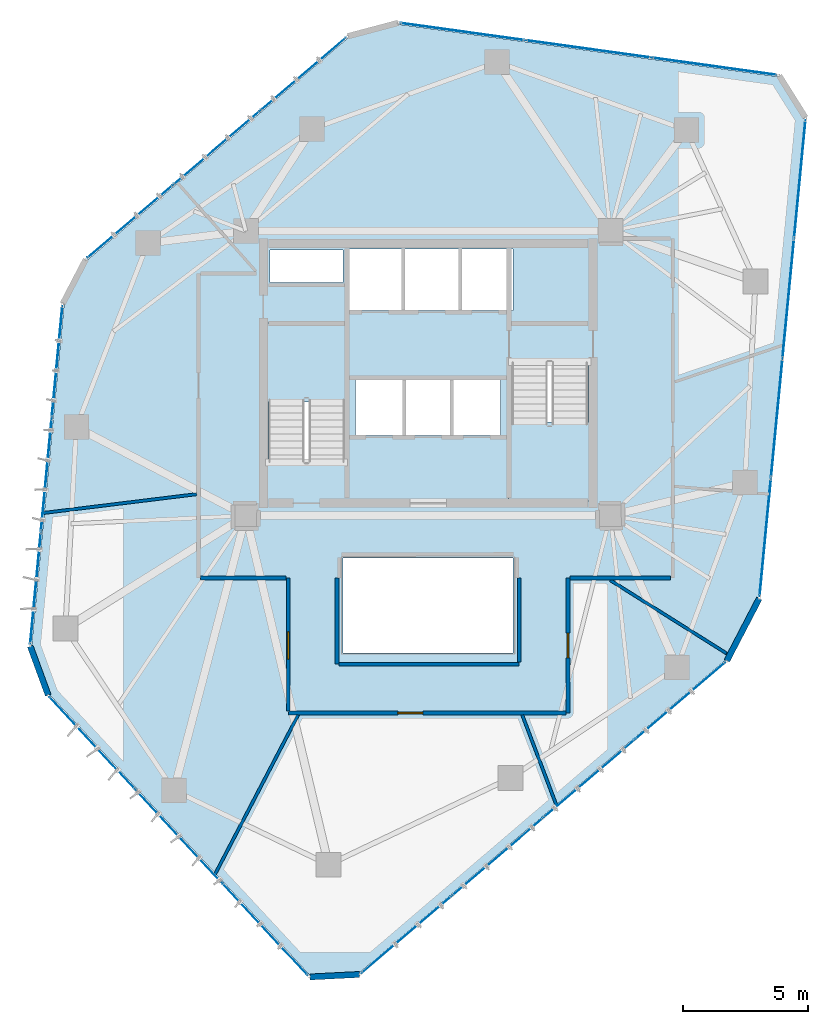
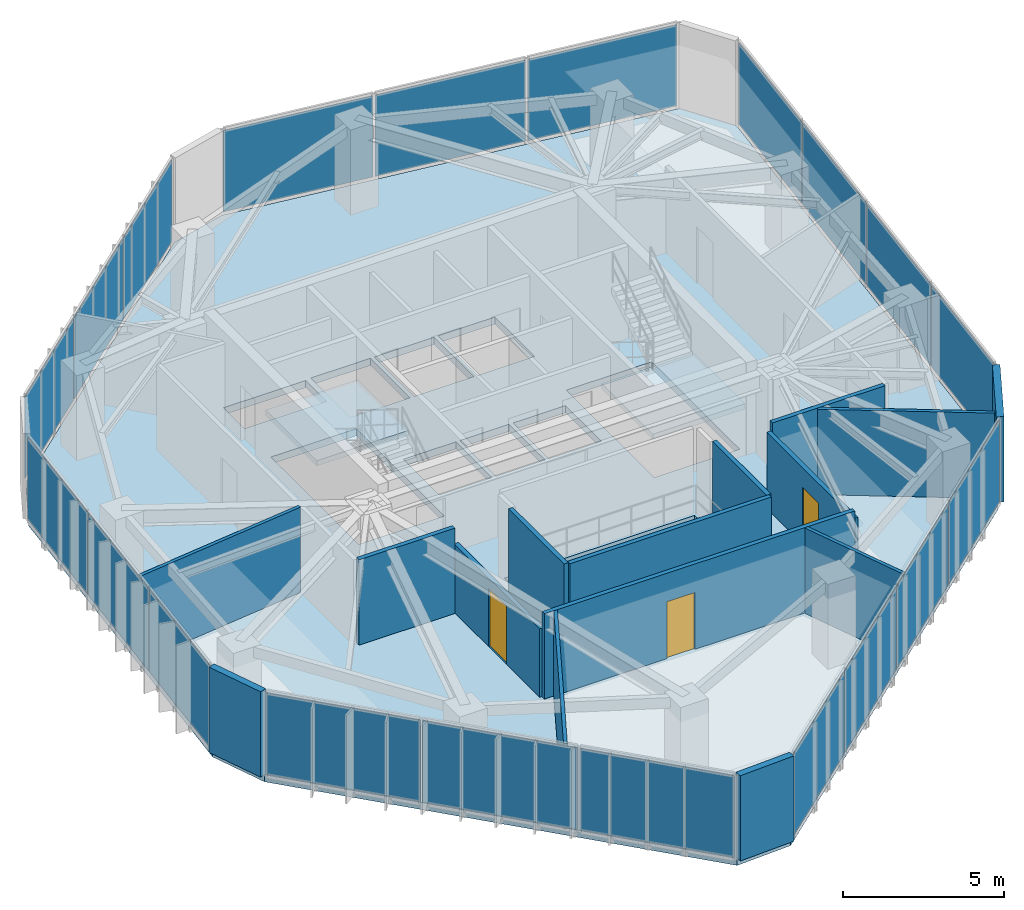
# One storey, part 16 of 20: 20 plates, 15 walls, 3 doors, 3 slabs, 3 openings, 8 elements without a shape of their own.
"""IFC4 building model written with IfcOpenShell, lengths in metres."""

from ifc_helpers import new_model, si_unit, direction, frame, frame_2d, origin, origin_2d, place, context, subcontext, project, spatial, polyline, rectangle, outline, extrude, source, transform, mapped, material, layer, layer_set, type_object, type_shapes, element, fill, aggregate, save


model = new_model("IFC4")

# Units and contexts
model_context = context("Model", 3, precision=1e-05, world=origin(), true_north=direction((0.0, 1.0)))
body_context = subcontext(model_context, "Body", "Model", "MODEL_VIEW")
ifc_project = project(units=[si_unit("LENGTHUNIT", "METRE"), si_unit("AREAUNIT", "SQUARE_METRE"), si_unit("VOLUMEUNIT", "CUBIC_METRE"), si_unit("PLANEANGLEUNIT", "RADIAN"), si_unit("MASSUNIT", "GRAM", prefix="KILO")], contexts=[model_context])

# Site, building, storey
site_placement = place(None, origin())
site = spatial("IfcSite", under=ifc_project, at=site_placement, CompositionType="ELEMENT")
building_placement = place(site_placement, origin())
building = spatial("IfcBuilding", under=site, at=building_placement, Name="Talar Marvaseh", CompositionType="ELEMENT")
storey_placement = place(building_placement, frame((0.0, 0.0, 211.699951171875)))
storey = spatial("IfcBuildingStorey", under=building, at=storey_placement, Name="L55", CompositionType="ELEMENT", Elevation=211.699951171875)

# Stair, slab
ifc_material_1 = material(Name="Concrete C40/50", Category="concrete")
stair_type = type_object("IfcStairType", Name="Reinforced Concrete High-Rise Exit Stair Type C", PredefinedType="HALF_TURN_STAIR", material=ifc_material_1)
stair_1_placement = place(storey_placement, origin())
stair_1 = element("IfcStair", 1, at=stair_1_placement, inside=storey, type_object=stair_type, Name="L55 Tower West Core Exit Stair", PredefinedType="HALF_TURN_STAIR")
ifc_layer_1 = layer(ifc_material_1, 0.199951171875)
ifc_layer_set_1 = layer_set([ifc_layer_1], Name="Concrete C40/50")
slab_type_1 = type_object("IfcSlabType", Name="Reinforced Concrete Stair Half-Landing Slab 200", PredefinedType="LANDING", material=ifc_layer_set_1)
slab_1_placement = place(storey_placement, frame((0.0, 0.0, 1.550048828125)))
slab_1 = element("IfcSlab", 2, at=slab_1_placement, type_object=slab_type_1, Name="ST-1 landing 1", PredefinedType="LANDING", context=body_context, shape_type="SweptSolid", body=[
    extrude(outline(polyline([(22.780029296875, 30.050048828125), (22.780029296875, 33.219970703125), (19.47998046875, 33.219970703125), (19.47998046875, 30.050048828125), (22.780029296875, 30.050048828125)])), origin(), (0.0, 0.0, 1.0), 0.199951171875),
])
aggregate(stair_1, [slab_1])

stair_2_placement = place(storey_placement, origin())
stair_2 = element("IfcStair", 3, at=stair_2_placement, inside=storey, type_object=stair_type, Name="L55 Tower East Core Exit Stair", PredefinedType="HALF_TURN_STAIR")
slab_2_placement = place(storey_placement, frame((0.0, 0.0, 1.550048828125)))
slab_2 = element("IfcSlab", 4, at=slab_2_placement, type_object=slab_type_1, Name="ST-2 landing 1", PredefinedType="LANDING", context=body_context, shape_type="SweptSolid", body=[
    extrude(outline(polyline([(29.219970703125, 29.25), (29.219970703125, 26.080078125), (32.52001953125, 26.080078125), (32.52001953125, 29.25), (29.219970703125, 29.25)])), origin(), (0.0, 0.0, 1.0), 0.199951171875),
])
aggregate(stair_2, [slab_2])

# Slab
ifc_layer_2 = layer(ifc_material_1, 0.27001953125)
ifc_layer_set_2 = layer_set([ifc_layer_2], Name="Concrete C40/50")
slab_type_2 = type_object("IfcSlabType", Name="Structural Suspended Floor Slab 270", PredefinedType="FLOOR", material=ifc_layer_set_2)
slab_3_placement = place(storey_placement, frame((0.0, 0.0, -0.27001953125)))
element("IfcSlab", 5, at=slab_3_placement, inside=storey, type_object=slab_type_2, Name="L55 Tower Floor Slab", PredefinedType="FLOOR", context=body_context, shape_type="SweptSolid", body=[
    extrude(outline(polyline([(23.24560546875, 7.18408203125), (21.2705078125, 7.0830078125), (10.83935546875, 18.329345703125), (10.12060546875, 20.290283203125), (11.420654296875, 33.96044921875), (12.345703125, 35.7373046875), (22.7978515625, 44.642822265625), (24.81640625, 45.178955078125), (40.01171875, 43.0849609375), (41.06201171875, 41.4091796875), (39.21044921875, 22.2099609375), (37.910400390625, 19.712890625), (23.24560546875, 7.18408203125)]), holes=[polyline([(22.659912109375, 27.64990234375), (22.659912109375, 33.10009765625), (19.60009765625, 33.10009765625), (19.60009765625, 27.64990234375), (22.659912109375, 27.64990234375)]), polyline([(29.340087890625, 31.64990234375), (29.340087890625, 26.199951171875), (32.39990234375, 26.199951171875), (32.39990234375, 31.64990234375), (29.340087890625, 31.64990234375)]), polyline([(22.800048828125, 33.719970703125), (24.93994140625, 33.719970703125), (24.93994140625, 36.179931640625), (22.800048828125, 36.179931640625), (22.800048828125, 33.719970703125)]), polyline([(25.080078125, 33.719970703125), (27.219970703125, 33.719970703125), (27.219970703125, 36.179931640625), (25.080078125, 36.179931640625), (25.080078125, 33.719970703125)]), polyline([(27.360107421875, 33.719970703125), (29.39990234375, 33.719970703125), (29.39990234375, 36.179931640625), (27.360107421875, 36.179931640625), (27.360107421875, 33.719970703125)]), polyline([(23.10009765625, 28.719970703125), (24.97998046875, 28.719970703125), (24.97998046875, 30.93994140625), (23.10009765625, 30.93994140625), (23.10009765625, 28.719970703125)]), polyline([(25.1201171875, 28.719970703125), (26.8798828125, 28.719970703125), (26.8798828125, 30.93994140625), (25.1201171875, 30.93994140625), (25.1201171875, 28.719970703125)]), polyline([(27.02001953125, 28.719970703125), (28.89990234375, 28.719970703125), (28.89990234375, 30.93994140625), (27.02001953125, 30.93994140625), (27.02001953125, 28.719970703125)]), polyline([(19.659912109375, 34.840087890625), (22.60009765625, 34.840087890625), (22.60009765625, 36.139892578125), (19.659912109375, 36.139892578125), (19.659912109375, 34.840087890625)]), polyline([(22.60009765625, 20.0), (29.39990234375, 20.0), (29.39990234375, 23.800048828125), (22.60009765625, 23.800048828125), (22.60009765625, 20.0)])]), origin(), (0.0, 0.0, 1.0), 0.27001953125),
])

# Curtain wall, plates
ifc_material_2 = material(Name="Architectural Aluminium", Category="aluminium")
ifc_layer_3 = layer(ifc_material_2, 0.18994140625)
ifc_layer_set_3 = layer_set([ifc_layer_3], Name="Architectural Aluminium")
curtain_wall_type = type_object("IfcCurtainWallType", Name="Unitised Solar Atelier Curtain Wall Z3", PredefinedType="NOTDEFINED", material=ifc_layer_set_3)
curtain_wall_1_placement = place(storey_placement, origin())
curtain_wall_1 = element("IfcCurtainWall", 6, at=curtain_wall_1_placement, inside=storey, type_object=curtain_wall_type, Name="L55 Unitised Solar Atelier Curtain Wall Z3", PredefinedType="NOTDEFINED")
ifc_material_3 = material(Name="Laminated Low-E Solar Glass", Category="glass")
ifc_layer_4 = layer(ifc_material_3, 0.028076171875)
ifc_layer_set_4 = layer_set([ifc_layer_4], Name="Laminated Low-E Solar Glass")
plate_type = type_object("IfcPlateType", Name="Double-Glazed Low-E Vision Curtain Panel 28", PredefinedType="CURTAIN_PANEL", material=ifc_layer_set_4)
shared_shape_1 = source(origin(), body_context, "Body", "SweptSolid", [
    extrude(rectangle(XDim=5.00048828125, YDim=0.028076171875, at=origin_2d()), origin(), (0.0, 0.0, 1.0), 3.080078125),
])
plate_1_placement = place(storey_placement, frame((19.47509765625, 8.930419921875, 0.074951171875), z_axis=(0.0, 0.0, 1.0), x_axis=(-0.680031142944, 0.733183227185, 0.0)))
plate_1 = element("IfcPlate", 7, at=plate_1_placement, type_object=plate_type, Name="CW-Z3 panel 1.1", PredefinedType="CURTAIN_PANEL", context=body_context, shape_type="MappedRepresentation", body=[
    mapped(shared_shape_1, transform((0.0, 0.0, 0.0), x_axis=(1.0, 0.0, 0.0), y_axis=(0.0, 1.0, 0.0), z_axis=(0.0, 0.0, 1.0), scale=1.0)),
])
plate_2_placement = place(storey_placement, frame((12.546630859375, 16.400390625, 0.074951171875), z_axis=(0.0, 0.0, 1.0), x_axis=(-0.680031142944, 0.733183227185, 0.0)))
plate_2 = element("IfcPlate", 8, at=plate_2_placement, type_object=plate_type, Name="CW-Z3 panel 3.1", PredefinedType="CURTAIN_PANEL", context=body_context, shape_type="MappedRepresentation", body=[
    mapped(shared_shape_1, transform((0.0, 0.0, 0.0), x_axis=(1.0, 0.0, 0.0), y_axis=(0.0, 1.0, 0.0), z_axis=(0.0, 0.0, 1.0), scale=1.0)),
])

curtain_wall_2_placement = place(storey_placement, origin())
curtain_wall_2 = element("IfcCurtainWall", 9, at=curtain_wall_2_placement, inside=storey, type_object=curtain_wall_type, Name="L55 Unitised Solar Atelier Curtain Wall Z3", PredefinedType="NOTDEFINED")
plate_3_placement = place(storey_placement, frame((27.375732421875, 44.88671875, 0.074951171875), z_axis=(0.0, 0.0, 1.0), x_axis=(0.990638039953, -0.136514738392, 0.0)))
plate_3 = element("IfcPlate", 10, at=plate_3_placement, type_object=plate_type, Name="CW-Z3 panel 1.1", PredefinedType="CURTAIN_PANEL", context=body_context, shape_type="MappedRepresentation", body=[
    mapped(shared_shape_1, transform((0.0, 0.0, 0.0), x_axis=(1.0, 0.0, 0.0), y_axis=(0.0, 1.0, 0.0), z_axis=(0.0, 0.0, 1.0), scale=1.0)),
])
plate_4_placement = place(storey_placement, frame((37.46875, 43.495849609375, 0.074951171875), z_axis=(0.0, 0.0, 1.0), x_axis=(0.990638039953, -0.136514738392, 0.0)))
plate_4 = element("IfcPlate", 11, at=plate_4_placement, type_object=plate_type, Name="CW-Z3 panel 3.1", PredefinedType="CURTAIN_PANEL", context=body_context, shape_type="MappedRepresentation", body=[
    mapped(shared_shape_1, transform((0.0, 0.0, 0.0), x_axis=(1.0, 0.0, 0.0), y_axis=(0.0, 1.0, 0.0), z_axis=(0.0, 0.0, 1.0), scale=1.0)),
])

# Plate
shared_shape_2 = source(origin(), body_context, "Body", "SweptSolid", [
    extrude(rectangle(XDim=5.0380859375, YDim=0.028076171875, at=origin_2d()), origin(), (0.0, 0.0, 1.0), 3.080078125),
])
plate_5_placement = place(storey_placement, frame((16.010986328125, 12.665283203125, 0.074951171875), z_axis=(0.0, 0.0, 1.0), x_axis=(-0.680031142944, 0.733183227185, 0.0)))
plate_5 = element("IfcPlate", 12, at=plate_5_placement, type_object=plate_type, Name="CW-Z3 panel 2.1", PredefinedType="CURTAIN_PANEL", context=body_context, shape_type="MappedRepresentation", body=[
    mapped(shared_shape_2, transform((0.0, 0.0, 0.0), x_axis=(1.0, 0.0, 0.0), y_axis=(0.0, 1.0, 0.0), z_axis=(0.0, 0.0, 1.0), scale=1.0)),
])

aggregate(curtain_wall_1, [plate_1, plate_5, plate_2])

plate_6_placement = place(storey_placement, frame((32.42236328125, 44.19140625, 0.074951171875), z_axis=(0.0, 0.0, 1.0), x_axis=(0.990638039953, -0.136514738392, 0.0)))
plate_6 = element("IfcPlate", 13, at=plate_6_placement, type_object=plate_type, Name="CW-Z3 panel 2.1", PredefinedType="CURTAIN_PANEL", context=body_context, shape_type="MappedRepresentation", body=[
    mapped(shared_shape_2, transform((0.0, 0.0, 0.0), x_axis=(1.0, 0.0, 0.0), y_axis=(0.0, 1.0, 0.0), z_axis=(0.0, 0.0, 1.0), scale=1.0)),
])

aggregate(curtain_wall_2, [plate_3, plate_6, plate_4])

# Curtain wall, plates
curtain_wall_3_placement = place(storey_placement, origin())
curtain_wall_3 = element("IfcCurtainWall", 14, at=curtain_wall_3_placement, inside=storey, type_object=curtain_wall_type, Name="L55 Unitised Solar Atelier Curtain Wall Z3", PredefinedType="NOTDEFINED")
shared_shape_3 = source(origin(), body_context, "Body", "SweptSolid", [
    extrude(rectangle(XDim=4.46484375, YDim=0.028076171875, at=origin_2d()), origin(), (0.0, 0.0, 1.0), 3.080078125),
])
plate_7_placement = place(storey_placement, frame((10.279541015625, 22.593017578125, 0.074951171875), z_axis=(0.0, 0.0, 1.0), x_axis=(0.094670939239, 0.995508620386, 0.0)))
plate_7 = element("IfcPlate", 15, at=plate_7_placement, type_object=plate_type, Name="CW-Z3 panel 1.1", PredefinedType="CURTAIN_PANEL", context=body_context, shape_type="MappedRepresentation", body=[
    mapped(shared_shape_3, transform((0.0, 0.0, 0.0), x_axis=(1.0, 0.0, 0.0), y_axis=(0.0, 1.0, 0.0), z_axis=(0.0, 0.0, 1.0), scale=1.0)),
])
plate_8_placement = place(storey_placement, frame((11.142578125, 31.669189453125, 0.074951171875), z_axis=(0.0, 0.0, 1.0), x_axis=(0.094670939239, 0.995508620386, 0.0)))
plate_8 = element("IfcPlate", 16, at=plate_8_placement, type_object=plate_type, Name="CW-Z3 panel 3.1", PredefinedType="CURTAIN_PANEL", context=body_context, shape_type="MappedRepresentation", body=[
    mapped(shared_shape_3, transform((0.0, 0.0, 0.0), x_axis=(1.0, 0.0, 0.0), y_axis=(0.0, 1.0, 0.0), z_axis=(0.0, 0.0, 1.0), scale=1.0)),
])
shared_shape_4 = source(origin(), body_context, "Body", "SweptSolid", [
    extrude(rectangle(XDim=4.502197265625, YDim=0.028076171875, at=origin_2d()), origin(), (0.0, 0.0, 1.0), 3.080078125),
])
plate_9_placement = place(storey_placement, frame((10.7109375, 27.131103515625, 0.074951171875), z_axis=(0.0, 0.0, 1.0), x_axis=(0.094670939239, 0.995508620386, 0.0)))
plate_9 = element("IfcPlate", 17, at=plate_9_placement, type_object=plate_type, Name="CW-Z3 panel 2.1", PredefinedType="CURTAIN_PANEL", context=body_context, shape_type="MappedRepresentation", body=[
    mapped(shared_shape_4, transform((0.0, 0.0, 0.0), x_axis=(1.0, 0.0, 0.0), y_axis=(0.0, 1.0, 0.0), z_axis=(0.0, 0.0, 1.0), scale=1.0)),
])
aggregate(curtain_wall_3, [plate_7, plate_9, plate_8])

# Curtain wall, plate
curtain_wall_4_placement = place(storey_placement, origin())
curtain_wall_4 = element("IfcCurtainWall", 18, at=curtain_wall_4_placement, inside=storey, type_object=curtain_wall_type, Name="L55 Unitised Solar Atelier Curtain Wall Z3", PredefinedType="NOTDEFINED")
plate_10_placement = place(storey_placement, frame((17.53271484375, 40.235595703125, 0.074951171875), z_axis=(0.0, 0.0, 1.0), x_axis=(0.761175855066, 0.648545540162, 0.0)))
plate_10 = element("IfcPlate", 19, at=plate_10_placement, type_object=plate_type, Name="CW-Z3 panel 2.1", PredefinedType="CURTAIN_PANEL", context=body_context, shape_type="MappedRepresentation", body=[
    mapped(shared_shape_4, transform((0.0, 0.0, 0.0), x_axis=(1.0, 0.0, 0.0), y_axis=(0.0, 1.0, 0.0), z_axis=(0.0, 0.0, 1.0), scale=1.0)),
])

# Curtain wall, plates
curtain_wall_5_placement = place(storey_placement, origin())
curtain_wall_5 = element("IfcCurtainWall", 20, at=curtain_wall_5_placement, inside=storey, type_object=curtain_wall_type, Name="L55 Unitised Solar Atelier Curtain Wall Z3", PredefinedType="NOTDEFINED")
shared_shape_5 = source(origin(), body_context, "Body", "SweptSolid", [
    extrude(rectangle(XDim=4.70947265625, YDim=0.028076171875, at=origin_2d()), origin(), (0.0, 0.0, 1.0), 3.080078125),
])
plate_11_placement = place(storey_placement, frame((40.888427734375, 38.98486328125, 0.074951171875), z_axis=(0.0, 0.0, 1.0), x_axis=(-0.095996618681, -0.995381660069, 0.0)))
plate_11 = element("IfcPlate", 21, at=plate_11_placement, type_object=plate_type, Name="CW-Z3 panel 1.1", PredefinedType="CURTAIN_PANEL", context=body_context, shape_type="MappedRepresentation", body=[
    mapped(shared_shape_5, transform((0.0, 0.0, 0.0), x_axis=(1.0, 0.0, 0.0), y_axis=(0.0, 1.0, 0.0), z_axis=(0.0, 0.0, 1.0), scale=1.0)),
])
plate_12_placement = place(storey_placement, frame((39.50341796875, 24.622802734375, 0.074951171875), z_axis=(0.0, 0.0, 1.0), x_axis=(-0.095996618681, -0.995381660069, 0.0)))
plate_12 = element("IfcPlate", 22, at=plate_12_placement, type_object=plate_type, Name="CW-Z3 panel 4.1", PredefinedType="CURTAIN_PANEL", context=body_context, shape_type="MappedRepresentation", body=[
    mapped(shared_shape_5, transform((0.0, 0.0, 0.0), x_axis=(1.0, 0.0, 0.0), y_axis=(0.0, 1.0, 0.0), z_axis=(0.0, 0.0, 1.0), scale=1.0)),
])

curtain_wall_6_placement = place(storey_placement, origin())
curtain_wall_6 = element("IfcCurtainWall", 23, at=curtain_wall_6_placement, inside=storey, type_object=curtain_wall_type, Name="L55 Unitised Solar Atelier Curtain Wall Z3", PredefinedType="NOTDEFINED")
plate_13_placement = place(storey_placement, frame((36.10205078125, 18.089111328125, 0.074951171875), z_axis=(0.0, 0.0, 1.0), x_axis=(-0.760306303826, -0.649564719149, 0.0)))
plate_13 = element("IfcPlate", 24, at=plate_13_placement, type_object=plate_type, Name="CW-Z3 panel 1.1", PredefinedType="CURTAIN_PANEL", context=body_context, shape_type="MappedRepresentation", body=[
    mapped(shared_shape_5, transform((0.0, 0.0, 0.0), x_axis=(1.0, 0.0, 0.0), y_axis=(0.0, 1.0, 0.0), z_axis=(0.0, 0.0, 1.0), scale=1.0)),
])
plate_14_placement = place(storey_placement, frame((25.132080078125, 8.716796875, 0.074951171875), z_axis=(0.0, 0.0, 1.0), x_axis=(-0.760306303826, -0.649564719149, 0.0)))
plate_14 = element("IfcPlate", 25, at=plate_14_placement, type_object=plate_type, Name="CW-Z3 panel 4.1", PredefinedType="CURTAIN_PANEL", context=body_context, shape_type="MappedRepresentation", body=[
    mapped(shared_shape_5, transform((0.0, 0.0, 0.0), x_axis=(1.0, 0.0, 0.0), y_axis=(0.0, 1.0, 0.0), z_axis=(0.0, 0.0, 1.0), scale=1.0)),
])

# Plate
shared_shape_6 = source(origin(), body_context, "Body", "SweptSolid", [
    extrude(rectangle(XDim=4.7470703125, YDim=0.028076171875, at=origin_2d()), origin(), (0.0, 0.0, 1.0), 3.080078125),
])
plate_15_placement = place(storey_placement, frame((40.42724609375, 34.20361328125, 0.074951171875), z_axis=(0.0, 0.0, 1.0), x_axis=(-0.095996618681, -0.995381660069, 0.0)))
plate_15 = element("IfcPlate", 26, at=plate_15_placement, type_object=plate_type, Name="CW-Z3 panel 2.1", PredefinedType="CURTAIN_PANEL", context=body_context, shape_type="MappedRepresentation", body=[
    mapped(shared_shape_6, transform((0.0, 0.0, 0.0), x_axis=(1.0, 0.0, 0.0), y_axis=(0.0, 1.0, 0.0), z_axis=(0.0, 0.0, 1.0), scale=1.0)),
])

plate_16_placement = place(storey_placement, frame((39.96435546875, 29.40380859375, 0.074951171875), z_axis=(0.0, 0.0, 1.0), x_axis=(-0.095996618681, -0.995381660069, 0.0)))
plate_16 = element("IfcPlate", 27, at=plate_16_placement, type_object=plate_type, Name="CW-Z3 panel 3.1", PredefinedType="CURTAIN_PANEL", context=body_context, shape_type="MappedRepresentation", body=[
    mapped(shared_shape_6, transform((0.0, 0.0, 0.0), x_axis=(1.0, 0.0, 0.0), y_axis=(0.0, 1.0, 0.0), z_axis=(0.0, 0.0, 1.0), scale=1.0)),
])

aggregate(curtain_wall_5, [plate_11, plate_15, plate_16, plate_12])

plate_17_placement = place(storey_placement, frame((32.4501953125, 14.968994140625, 0.074951171875), z_axis=(0.0, 0.0, 1.0), x_axis=(-0.760306303826, -0.649564719149, 0.0)))
plate_17 = element("IfcPlate", 28, at=plate_17_placement, type_object=plate_type, Name="CW-Z3 panel 2.1", PredefinedType="CURTAIN_PANEL", context=body_context, shape_type="MappedRepresentation", body=[
    mapped(shared_shape_6, transform((0.0, 0.0, 0.0), x_axis=(1.0, 0.0, 0.0), y_axis=(0.0, 1.0, 0.0), z_axis=(0.0, 0.0, 1.0), scale=1.0)),
])

plate_18_placement = place(storey_placement, frame((28.783935546875, 11.836669921875, 0.074951171875), z_axis=(0.0, 0.0, 1.0), x_axis=(-0.760306303826, -0.649564719149, 0.0)))
plate_18 = element("IfcPlate", 29, at=plate_18_placement, type_object=plate_type, Name="CW-Z3 panel 3.1", PredefinedType="CURTAIN_PANEL", context=body_context, shape_type="MappedRepresentation", body=[
    mapped(shared_shape_6, transform((0.0, 0.0, 0.0), x_axis=(1.0, 0.0, 0.0), y_axis=(0.0, 1.0, 0.0), z_axis=(0.0, 0.0, 1.0), scale=1.0)),
])

aggregate(curtain_wall_6, [plate_13, plate_17, plate_18, plate_14])

shared_shape_7 = source(origin(), body_context, "Body", "SweptSolid", [
    extrude(rectangle(XDim=4.464599609375, YDim=0.028076171875, at=origin_2d()), origin(), (0.0, 0.0, 1.0), 3.080078125),
])
type_shapes(plate_type, [shared_shape_1, shared_shape_2, shared_shape_3, shared_shape_4, shared_shape_5, shared_shape_6, shared_shape_7])
plate_19_placement = place(storey_placement, frame((14.06298828125, 37.279296875, 0.074951171875), z_axis=(0.0, 0.0, 1.0), x_axis=(0.761175855066, 0.648545540162, 0.0)))
plate_19 = element("IfcPlate", 30, at=plate_19_placement, type_object=plate_type, Name="CW-Z3 panel 1.1", PredefinedType="CURTAIN_PANEL", context=body_context, shape_type="MappedRepresentation", body=[
    mapped(shared_shape_7, transform((0.0, 0.0, 0.0), x_axis=(1.0, 0.0, 0.0), y_axis=(0.0, 1.0, 0.0), z_axis=(0.0, 0.0, 1.0), scale=1.0)),
])

plate_20_placement = place(storey_placement, frame((21.002685546875, 43.192138671875, 0.074951171875), z_axis=(0.0, 0.0, 1.0), x_axis=(0.761175855066, 0.648545540162, 0.0)))
plate_20 = element("IfcPlate", 31, at=plate_20_placement, type_object=plate_type, Name="CW-Z3 panel 3.1", PredefinedType="CURTAIN_PANEL", context=body_context, shape_type="MappedRepresentation", body=[
    mapped(shared_shape_7, transform((0.0, 0.0, 0.0), x_axis=(1.0, 0.0, 0.0), y_axis=(0.0, 1.0, 0.0), z_axis=(0.0, 0.0, 1.0), scale=1.0)),
])

aggregate(curtain_wall_4, [plate_19, plate_10, plate_20])

# Walls
ifc_material_4 = material(Name="Precast concrete C45/55", Category="concrete")
ifc_layer_5 = layer(ifc_material_4, 0.239990234375)
ifc_layer_set_5 = layer_set([ifc_layer_5], Name="Precast concrete C45/55")
wall_type_1 = type_object("IfcWallType", Name="Chamfered Hexagonal Corner Pier Wall Z3 240", PredefinedType="SOLIDWALL", material=ifc_layer_set_5)
wall_1_placement = place(storey_placement, frame((23.248779296875, 7.1240234375, 0.0), z_axis=(0.0, 0.0, 1.0), x_axis=(-0.998699776406, -0.050978001193, 0.0)))
element("IfcWall", 32, at=wall_1_placement, inside=storey, type_object=wall_type_1, Name="L55 Chamfered Corner Limestone Pier 1", PredefinedType="SOLIDWALL", context=body_context, shape_type="SweptSolid", body=[
    extrude(rectangle(XDim=1.97802734375, YDim=0.239990234375, at=frame_2d((0.989013671875, 0.0))), origin(), (0.0, 0.0, 1.0), 3.22998046875),
])
wall_2_placement = place(storey_placement, frame((10.783203125, 18.30859375, 0.0), z_axis=(0.0, 0.0, 1.0), x_axis=(-0.344106965599, 0.938930453349, 0.0)))
element("IfcWall", 33, at=wall_2_placement, inside=storey, type_object=wall_type_1, Name="L55 Chamfered Corner Limestone Pier 2", PredefinedType="SOLIDWALL", context=body_context, shape_type="SweptSolid", body=[
    extrude(rectangle(XDim=2.088623046875, YDim=0.239990234375, at=frame_2d((1.04443359375, 0.0))), origin(), (0.0, 0.0, 1.0), 3.22998046875),
])
wall_3_placement = place(storey_placement, frame((39.263671875, 22.182373046875, 0.0), z_axis=(0.0, 0.0, 1.0), x_axis=(-0.461792294956, -0.886988092546, 0.0)))
element("IfcWall", 34, at=wall_3_placement, inside=storey, type_object=wall_type_1, Name="L55 Chamfered Corner Limestone Pier 6", PredefinedType="SOLIDWALL", context=body_context, shape_type="SweptSolid", body=[
    extrude(rectangle(XDim=2.815185546875, YDim=0.239990234375, at=frame_2d((1.40771484375, 0.0))), origin(), (0.0, 0.0, 1.0), 3.22998046875),
])

# Wall, opening, door
ifc_material_5 = material(Name="Gypsum Board Partition Assembly")
ifc_layer_6 = layer(ifc_material_5, 0.155029296875)
ifc_layer_set_6 = layer_set([ifc_layer_6], Name="Gypsum Board Partition Assembly")
wall_type_2 = type_object("IfcWallType", Name="Corridor Fire-Rated Acoustic Partition 155", PredefinedType="PARTITIONING", material=ifc_layer_set_6)
wall_4_placement = place(storey_placement, frame((31.60009765625, 23.0, 0.0), z_axis=(0.0, 0.0, 1.0), x_axis=(0.0, -1.0, 0.0)))
wall_4 = element("IfcWall", 35, at=wall_4_placement, inside=storey, type_object=wall_type_2, Name="L55 Interior Partition Wall", PredefinedType="PARTITIONING", context=body_context, shape_type="SweptSolid", body=[
    extrude(rectangle(XDim=5.39990234375, YDim=0.155029296875, at=frame_2d((2.699951171875, 0.0))), origin(), (0.0, 0.0, 1.0), 2.89208984375),
])
opening_1_placement = place(wall_4_placement, frame((2.199951171875, 0.0, 0.0)))
opening_1 = element("IfcOpeningElement", 36, at=opening_1_placement, cuts=wall_4, Name="Opening DR-RM100", PredefinedType="OPENING", context=body_context, shape_type="SweptSolid", body=[
    extrude(rectangle(XDim=1.0, YDim=2.14990234375, at=frame_2d((0.5, 1.074951171875))), frame((0.0, 0.08740234375, 0.0), z_axis=(0.0, -1.0, 0.0), x_axis=(1.0, 0.0, 0.0)), (0.0, 0.0, 1.0), 0.175048828125),
])
ifc_material_6 = material(Name="Acoustic Engineered Oak Timber", Category="wood")
door_type_1 = type_object("IfcDoorType", Name="Corridor Fire-Rated Gallery Door 1000x2150", OperationType="NOTDEFINED", PredefinedType="DOOR", material=ifc_material_6)
shared_shape_8 = source(origin(), body_context, "Body", "SweptSolid", [
    extrude(rectangle(XDim=1.0, YDim=2.14990234375, at=frame_2d((0.5, 1.074951171875))), frame((0.0, 0.02490234375, 0.0), z_axis=(0.0, -1.0, 0.0), x_axis=(1.0, 0.0, 0.0)), (0.0, 0.0, 1.0), 0.050048828125),
])
type_shapes(door_type_1, [shared_shape_8])
door_1_placement = place(opening_1_placement, origin())
door_1 = element("IfcDoor", 37, at=door_1_placement, inside=storey, type_object=door_type_1, Name="L55 Visitor Orientation Foyer Door", OperationType="SINGLE_SWING_RIGHT", OverallHeight=2.14990234375, OverallWidth=1.0, PredefinedType="DOOR", context=body_context, shape_type="MappedRepresentation", body=[
    mapped(shared_shape_8, transform((0.0, 0.0, 0.0), x_axis=(1.0, 0.0, 0.0), y_axis=(0.0, 1.0, 0.0), z_axis=(0.0, 0.0, 1.0), scale=1.0)),
])
fill(opening_1, door_1)

wall_5_placement = place(storey_placement, frame((31.5166015625, 17.60009765625, 0.0), z_axis=(0.0, 0.0, 1.0), x_axis=(-1.0, 0.0, 0.0)))
wall_5 = element("IfcWall", 38, at=wall_5_placement, inside=storey, type_object=wall_type_2, Name="L55 Interior Partition Wall", PredefinedType="PARTITIONING", context=body_context, shape_type="SweptSolid", body=[
    extrude(rectangle(XDim=11.11669921875, YDim=0.155029296875, at=frame_2d((5.558349609375, 0.0))), origin(), (0.0, 0.0, 1.0), 3.22998046875),
])
opening_2_placement = place(wall_5_placement, frame((5.730712890625, 0.0, 0.0)))
opening_2 = element("IfcOpeningElement", 39, at=opening_2_placement, cuts=wall_5, Name="Opening DR-RM100", PredefinedType="OPENING", context=body_context, shape_type="SweptSolid", body=[
    extrude(rectangle(XDim=1.0, YDim=2.14990234375, at=frame_2d((0.5, 1.074951171875))), frame((0.0, 0.08740234375, 0.0), z_axis=(0.0, -1.0, 0.0), x_axis=(1.0, 0.0, 0.0)), (0.0, 0.0, 1.0), 0.175048828125),
])
door_2_placement = place(opening_2_placement, origin())
door_2 = element("IfcDoor", 40, at=door_2_placement, inside=storey, type_object=door_type_1, Name="L55 Museum Publication Bookshop Door", OperationType="SINGLE_SWING_LEFT", OverallHeight=2.14990234375, OverallWidth=1.0, PredefinedType="DOOR", context=body_context, shape_type="MappedRepresentation", body=[
    mapped(shared_shape_8, transform((0.0, 0.0, 0.0), x_axis=(1.0, 0.0, 0.0), y_axis=(0.0, 1.0, 0.0), z_axis=(0.0, 0.0, 1.0), scale=1.0)),
])
fill(opening_2, door_2)

wall_6_placement = place(storey_placement, frame((20.39990234375, 17.68359375, 0.0), z_axis=(0.0, 0.0, 1.0), x_axis=(0.0, 1.0, 0.0)))
wall_6 = element("IfcWall", 41, at=wall_6_placement, inside=storey, type_object=wall_type_2, Name="L55 Interior Partition Wall", PredefinedType="PARTITIONING", context=body_context, shape_type="SweptSolid", body=[
    extrude(rectangle(XDim=5.31640625, YDim=0.155029296875, at=frame_2d((2.658203125, 0.0))), origin(), (0.0, 0.0, 1.0), 2.589111328125),
])
opening_3_placement = place(wall_6_placement, frame((2.06640625, 0.0, 0.0)))
opening_3 = element("IfcOpeningElement", 42, at=opening_3_placement, cuts=wall_6, Name="Opening DR-RM110", PredefinedType="OPENING", context=body_context, shape_type="SweptSolid", body=[
    extrude(rectangle(XDim=1.10009765625, YDim=2.199951171875, at=frame_2d((0.550048828125, 1.10009765625))), frame((0.0, 0.08740234375, 0.0), z_axis=(0.0, -1.0, 0.0), x_axis=(1.0, 0.0, 0.0)), (0.0, 0.0, 1.0), 0.175048828125),
])
door_type_2 = type_object("IfcDoorType", Name="Assembly and Reading Hall Door 1100x2200", OperationType="NOTDEFINED", PredefinedType="DOOR", material=ifc_material_6)
shared_shape_9 = source(origin(), body_context, "Body", "SweptSolid", [
    extrude(rectangle(XDim=1.10009765625, YDim=2.199951171875, at=frame_2d((0.550048828125, 1.10009765625))), frame((0.0, 0.02490234375, 0.0), z_axis=(0.0, -1.0, 0.0), x_axis=(1.0, 0.0, 0.0)), (0.0, 0.0, 1.0), 0.050048828125),
])
type_shapes(door_type_2, [shared_shape_9])
door_3_placement = place(opening_3_placement, origin())
door_3 = element("IfcDoor", 43, at=door_3_placement, inside=storey, type_object=door_type_2, Name="L55 Gallery Concierge Reception Door", OperationType="SINGLE_SWING_RIGHT", OverallHeight=2.199951171875, OverallWidth=1.10009765625, PredefinedType="DOOR", context=body_context, shape_type="MappedRepresentation", body=[
    mapped(shared_shape_9, transform((0.0, 0.0, 0.0), x_axis=(1.0, 0.0, 0.0), y_axis=(0.0, 1.0, 0.0), z_axis=(0.0, 0.0, 1.0), scale=1.0)),
])
fill(opening_3, door_3)

# Walls
wall_7_placement = place(storey_placement, frame((35.716552734375, 23.0, 0.0), z_axis=(0.0, 0.0, 1.0), x_axis=(-1.0, 0.0, 0.0)))
element("IfcWall", 44, at=wall_7_placement, inside=storey, type_object=wall_type_2, Name="L55 Interior Partition Wall", PredefinedType="PARTITIONING", context=body_context, shape_type="SweptSolid", body=[
    extrude(rectangle(XDim=4.032958984375, YDim=0.155029296875, at=frame_2d((2.0166015625, 0.0))), origin(), (0.0, 0.0, 1.0), 3.22998046875),
])
wall_8_placement = place(storey_placement, frame((20.31640625, 23.0, 0.0), z_axis=(0.0, 0.0, 1.0), x_axis=(-1.0, 0.0, 0.0)))
element("IfcWall", 45, at=wall_8_placement, inside=storey, type_object=wall_type_2, Name="L55 Interior Partition Wall", PredefinedType="PARTITIONING", context=body_context, shape_type="SweptSolid", body=[
    extrude(rectangle(XDim=3.432861328125, YDim=0.155029296875, at=frame_2d((1.71630859375, 0.0))), origin(), (0.0, 0.0, 1.0), 3.22998046875),
])
wall_9_placement = place(storey_placement, frame((22.35009765625, 23.0, 0.0), z_axis=(0.0, 0.0, 1.0), x_axis=(0.0, -1.0, 0.0)))
element("IfcWall", 46, at=wall_9_placement, inside=storey, type_object=wall_type_2, Name="L55 Interior Partition Wall", PredefinedType="PARTITIONING", context=body_context, shape_type="SweptSolid", body=[
    extrude(rectangle(XDim=3.449951171875, YDim=0.155029296875, at=frame_2d((1.72509765625, 0.0))), origin(), (0.0, 0.0, 1.0), 3.22998046875),
])
wall_10_placement = place(storey_placement, frame((22.43359375, 19.550048828125, 0.0), z_axis=(0.0, 0.0, 1.0), x_axis=(1.0, 0.0, 0.0)))
element("IfcWall", 47, at=wall_10_placement, inside=storey, type_object=wall_type_2, Name="L55 Interior Partition Wall", PredefinedType="PARTITIONING", context=body_context, shape_type="SweptSolid", body=[
    extrude(rectangle(XDim=7.21630859375, YDim=0.155029296875, at=frame_2d((3.608154296875, 0.0))), origin(), (0.0, 0.0, 1.0), 3.22998046875),
])
wall_11_placement = place(storey_placement, frame((29.64990234375, 19.633544921875, 0.0), z_axis=(0.0, 0.0, 1.0), x_axis=(0.0, 1.0, 0.0)))
element("IfcWall", 48, at=wall_11_placement, inside=storey, type_object=wall_type_2, Name="L55 Interior Partition Wall", PredefinedType="PARTITIONING", context=body_context, shape_type="SweptSolid", body=[
    extrude(rectangle(XDim=3.366455078125, YDim=0.155029296875, at=frame_2d((1.68310546875, 0.0))), origin(), (0.0, 0.0, 1.0), 3.22998046875),
])
ifc_layer_7 = layer(ifc_material_5, 0.1201171875)
ifc_layer_set_7 = layer_set([ifc_layer_7], Name="Gypsum Board Partition Assembly")
wall_type_3 = type_object("IfcWallType", Name="Demountable Studio Room Partition 120", PredefinedType="PARTITIONING", material=ifc_layer_set_7)
wall_12_placement = place(storey_placement, frame((20.79638671875, 17.5166015625, 0.0), z_axis=(0.0, 0.0, 1.0), x_axis=(-0.462890429416, -0.886415506608, 0.0)))
element("IfcWall", 49, at=wall_12_placement, inside=storey, type_object=wall_type_3, Name="L55 Interior Partition Wall", PredefinedType="PARTITIONING", context=body_context, shape_type="SweptSolid", body=[
    extrude(rectangle(XDim=7.200439453125, YDim=0.1201171875, at=frame_2d((3.60009765625, 0.0))), origin(), (0.0, 0.0, 1.0), 3.22998046875),
])
wall_13_placement = place(storey_placement, frame((10.5908203125, 25.60791015625, 0.0), z_axis=(0.0, 0.0, 1.0), x_axis=(0.992552659647, 0.121816328247, 0.0)))
element("IfcWall", 50, at=wall_13_placement, inside=storey, type_object=wall_type_3, Name="L55 Interior Partition Wall", PredefinedType="PARTITIONING", context=body_context, shape_type="SweptSolid", body=[
    extrude(rectangle(XDim=6.19091796875, YDim=0.1201171875, at=frame_2d((3.095458984375, 0.0))), origin(), (0.0, 0.0, 1.0), 3.22998046875),
])
wall_14_placement = place(storey_placement, frame((29.771484375, 17.5166015625, 0.0), z_axis=(0.0, 0.0, 1.0), x_axis=(0.354043740552, -0.935228864918, 0.0)))
element("IfcWall", 51, at=wall_14_placement, inside=storey, type_object=wall_type_3, Name="L55 Interior Partition Wall", PredefinedType="PARTITIONING", context=body_context, shape_type="SweptSolid", body=[
    extrude(rectangle(XDim=3.88232421875, YDim=0.1201171875, at=frame_2d((1.941162109375, 0.0))), origin(), (0.0, 0.0, 1.0), 3.22998046875),
])
wall_15_placement = place(storey_placement, frame((33.292724609375, 22.91650390625, 0.0), z_axis=(0.0, 0.0, 1.0), x_axis=(0.846300304958, -0.532706104553, 0.0)))
element("IfcWall", 52, at=wall_15_placement, inside=storey, type_object=wall_type_3, Name="L55 Interior Partition Wall", PredefinedType="PARTITIONING", context=body_context, shape_type="SweptSolid", body=[
    extrude(rectangle(XDim=5.498779296875, YDim=0.1201171875, at=frame_2d((2.74951171875, 0.0))), origin(), (0.0, 0.0, 1.0), 3.22998046875),
])

save(model, "model.ifc")
